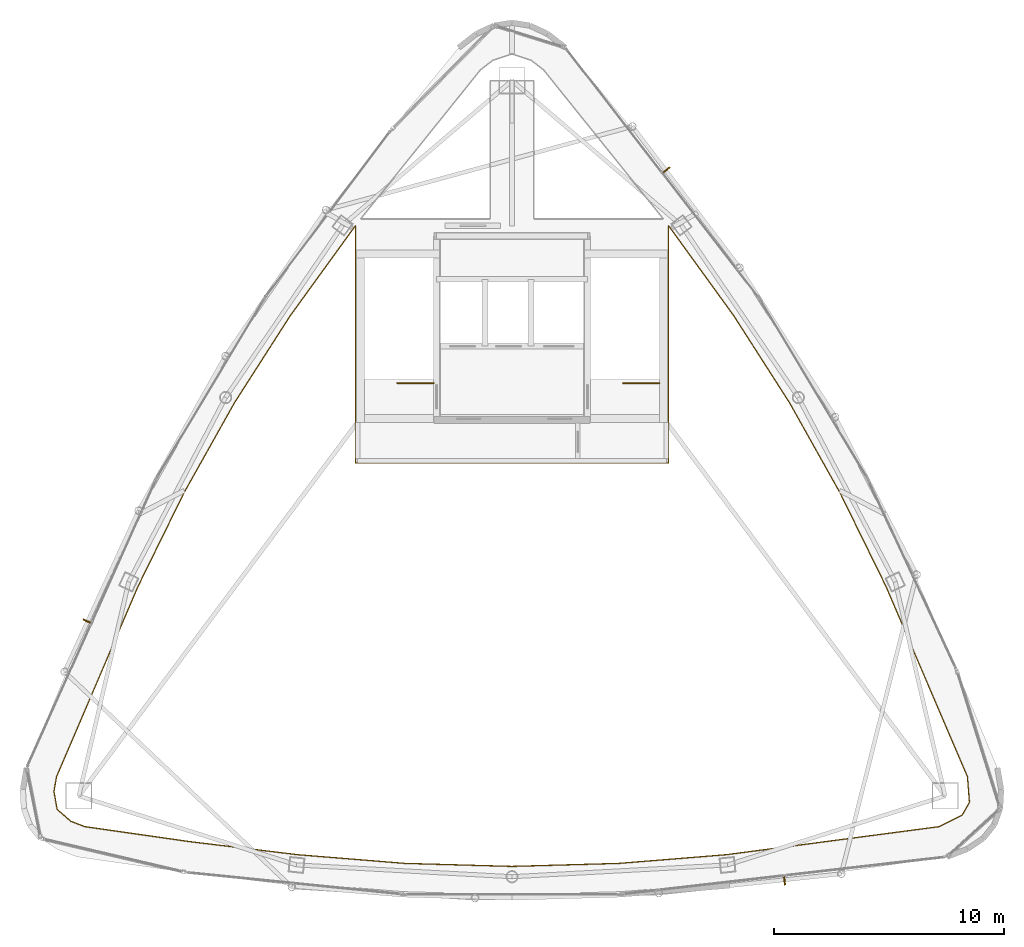
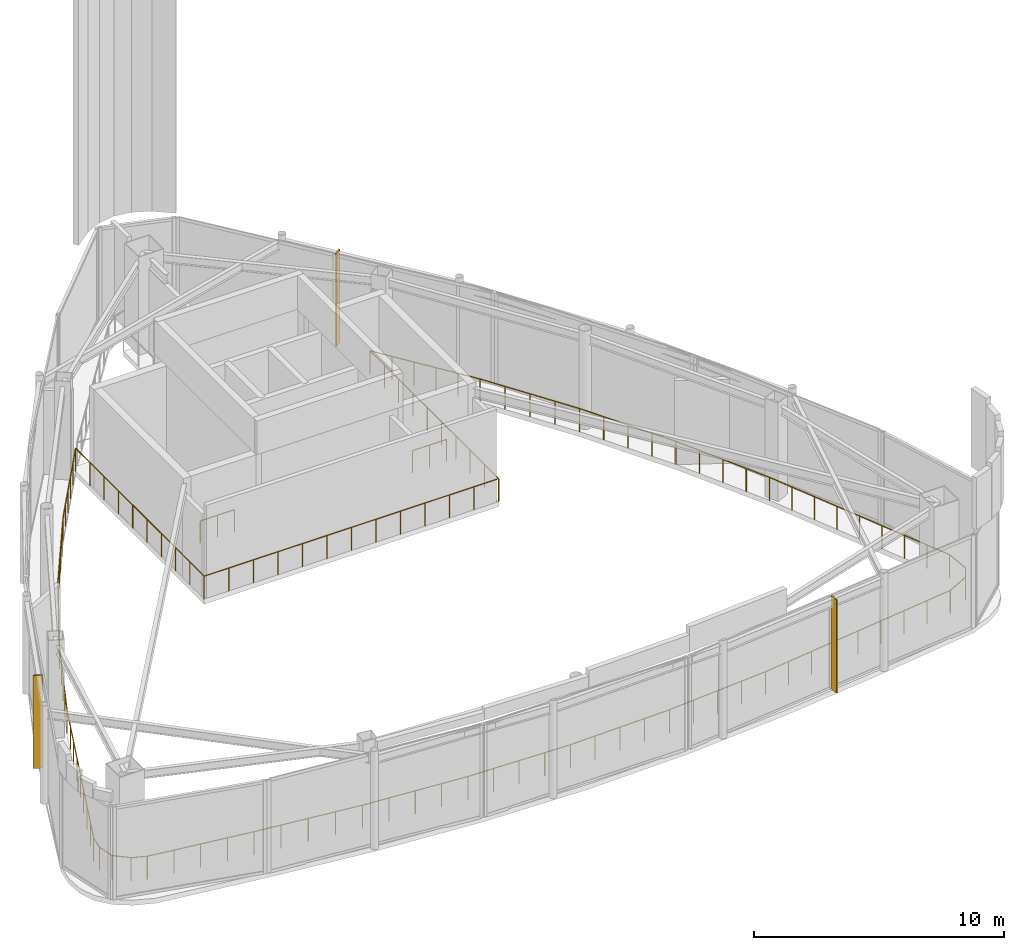
# One storey, part 17 of 18: 3 railings, 3 shading devices.
"""IFC4 building model written with IfcOpenShell, lengths in metres."""

from ifc_helpers import new_model, si_unit, direction, frame, origin, origin_2d, place, context, subcontext, project, spatial, rectangle, circle, extrude, material, layer, layer_set, type_object, element, save


model = new_model("IFC4")

# Units and contexts
model_context = context("Model", 3, precision=1e-05, world=origin(), true_north=direction((0.0, 1.0)))
body_context = subcontext(model_context, "Body", "Model", "MODEL_VIEW")
ifc_project = project(units=[si_unit("LENGTHUNIT", "METRE"), si_unit("AREAUNIT", "SQUARE_METRE"), si_unit("VOLUMEUNIT", "CUBIC_METRE"), si_unit("PLANEANGLEUNIT", "RADIAN"), si_unit("MASSUNIT", "GRAM", prefix="KILO")], contexts=[model_context])

# Site, building, storey
site_placement = place(None, origin())
site = spatial("IfcSite", under=ifc_project, at=site_placement, CompositionType="ELEMENT")
building_placement = place(site_placement, origin())
building = spatial("IfcBuilding", under=site, at=building_placement, Name="Orvanel Arch Residences", CompositionType="ELEMENT")
storey_placement = place(building_placement, frame((0.0, 0.0, 310.10009765625)))
storey = spatial("IfcBuildingStorey", under=building, at=storey_placement, Name="L86", CompositionType="ELEMENT", Elevation=310.10009765625)

# Shading devices
ifc_material_1 = material(Name="Bronze-anodised aluminium AA6063-T6", Category="aluminium")
ifc_layer = layer(ifc_material_1, 0.06005859375)
ifc_layer_set = layer_set([ifc_layer], Name="Bronze-anodised aluminium AA6063-T6")
shading_device_type = type_object("IfcShadingDeviceType", Name="FIN-BRZ-380", PredefinedType="USERDEFINED", material=ifc_layer_set)
for number, where, z_axis, x_axis, name in (
    (1, (14.550048828125, 17.93603515625, 0.0), (0.0, 0.0, 1.0), (-0.912120116172, 0.409923033842, 0.0), "L86 Anodised Bronze Mullion FIN 01"),
    (2, (44.826904296875, 6.674072265625, 0.0), (0.0, 0.0, 1.0), (0.114937150493, -0.9933727656, 0.0), "L86 Anodised Bronze Mullion FIN 01"),
    (3, (39.702880859375, 37.51904296875, 0.0), (0.0, 0.0, 1.0), (0.790155012376, 0.612907053653, 0.0), "L86 Anodised Bronze Mullion FIN 01"),
):
    element("IfcShadingDevice", number, at=place(storey_placement, frame(where, z_axis=z_axis, x_axis=x_axis)), inside=storey, type_object=shading_device_type, Name=name, ObjectType="FIN", PredefinedType="USERDEFINED", context=body_context, shape_type="SweptSolid", body=[
        extrude(rectangle(XDim=0.3798828125, YDim=0.06005859375, at=origin_2d()), origin(), (0.0, 0.0, 1.0), 4.5400390625),
    ])

# Railings
railing_type_1 = type_object("IfcRailingType", Name="RL-ATR-1150", PredefinedType="BALUSTRADE", material=ifc_material_1)
railing_1_placement = place(storey_placement, frame((42.626953125, 31.18310546875, 0.0)))
element("IfcRailing", 4, at=railing_1_placement, inside=storey, type_object=railing_type_1, Name="L86 Crown Conservatory Void 2 Balustrade", PredefinedType="BALUSTRADE", context=body_context, shape_type="SweptSolid", body=[
    extrude(circle(Radius=0.02392578125, at=origin_2d()), frame((0.000732421875, -0.001220703125, 1.1259765625), z_axis=(0.539449316925, -0.842018072531, 0.0), x_axis=(0.842018072531, 0.539449316925, 0.0)), (0.0, 0.0, 1.0), 4.479248046875),
    extrude(circle(Radius=0.02392578125, at=origin_2d()), frame((2.418701171875, -3.775390625, 1.1259765625), z_axis=(0.488877026727, -0.872352711201, 0.0), x_axis=(0.872352711201, 0.488877026727, 0.0)), (0.0, 0.0, 1.0), 4.47900390625),
    extrude(circle(Radius=0.02392578125, at=origin_2d()), frame((4.60986328125, -7.685546875, 1.1259765625), z_axis=(0.440900053408, -0.897556205986, 0.0), x_axis=(0.897556205986, 0.440900053408, 0.0)), (0.0, 0.0, 1.0), 4.506103515625),
    extrude(circle(Radius=0.02392578125, at=origin_2d()), frame((6.59765625, -11.732666015625, 1.1259765625), z_axis=(0.393624390708, -0.919271363113, 0.0), x_axis=(0.919271363113, 0.393624390708, 0.0)), (0.0, 0.0, 1.0), 8.98974609375),
    extrude(circle(Radius=0.02392578125, at=origin_2d()), frame((10.136962890625, -19.99951171875, 1.1259765625), z_axis=(0.078340921398, -0.996926627207, 0.0), x_axis=(0.996926627207, 0.078340921398, 0.0)), (0.0, 0.0, 1.0), 1.109619140625),
    extrude(circle(Radius=0.02392578125, at=origin_2d()), frame((10.223388671875, -21.1083984375, 1.1259765625), z_axis=(-0.492907253875, -0.870081857688, 0.0), x_axis=(0.870081857688, -0.492907253875, 0.0)), (0.0, 0.0, 1.0), 0.640380859375),
    extrude(circle(Radius=0.02392578125, at=origin_2d()), frame((9.90576171875, -21.667724609375, 1.1259765625), z_axis=(-0.89473528006, -0.446596886035, 0.0), x_axis=(0.446596886035, -0.89473528006, 0.0)), (0.0, 0.0, 1.0), 1.105712890625),
    extrude(circle(Radius=0.02392578125, at=origin_2d()), frame((8.91357421875, -22.162353515625, 1.1259765625), z_axis=(-0.99141795724, -0.130730386908, 0.0), x_axis=(0.130730386908, -0.99141795724, 0.0)), (0.0, 0.0, 1.0), 9.31396484375),
    extrude(circle(Radius=0.02392578125, at=origin_2d()), frame((-0.323486328125, -23.380126953125, 1.1259765625), z_axis=(-0.996741433639, -0.08066296837, 0.0), x_axis=(0.08066296837, -0.996741433639, 0.0)), (0.0, 0.0, 1.0), 4.670166015625),
    extrude(circle(Radius=0.02392578125, at=origin_2d()), frame((-4.9814453125, -23.757080078125, 1.1259765625), z_axis=(-0.999602259989, -0.028201450752, 0.0), x_axis=(0.028201450752, -0.999602259989, 0.0)), (0.0, 0.0, 1.0), 4.645751953125),
    extrude(circle(Radius=0.02392578125, at=origin_2d()), frame((-9.62841796875, -23.88818359375, 1.1259765625), z_axis=(-0.999602259989, 0.028201450752, 0.0), x_axis=(-0.028201450752, -0.999602259989, 0.0)), (0.0, 0.0, 1.0), 4.645751953125),
    extrude(circle(Radius=0.02392578125, at=origin_2d()), frame((-14.275390625, -23.757080078125, 1.1259765625), z_axis=(-0.996741433639, 0.08066296837, 0.0), x_axis=(-0.08066296837, -0.996741433639, 0.0)), (0.0, 0.0, 1.0), 4.670166015625),
    extrude(circle(Radius=0.02392578125, at=origin_2d()), frame((-18.933349609375, -23.3798828125, 1.1259765625), z_axis=(-0.992737718176, 0.120298889897, 0.0), x_axis=(-0.120298889897, -0.992737718176, 0.0)), (0.0, 0.0, 1.0), 4.71142578125),
    extrude(circle(Radius=0.02392578125, at=origin_2d()), frame((-23.613525390625, -22.812744140625, 1.1259765625), z_axis=(-0.989952675685, 0.141399080277, 0.0), x_axis=(-0.141399080277, -0.989952675685, 0.0)), (0.0, 0.0, 1.0), 4.60009765625),
    extrude(circle(Radius=0.02392578125, at=origin_2d()), frame((-28.17041015625, -22.16162109375, 1.1259765625), z_axis=(-0.933423126079, 0.358777462643, 0.0), x_axis=(-0.358777462643, -0.933423126079, 0.0)), (0.0, 0.0, 1.0), 0.646240234375),
    extrude(circle(Radius=0.02392578125, at=origin_2d()), frame((-28.776123046875, -21.92822265625, 1.1259765625), z_axis=(-0.753867638629, 0.657026318673, 0.0), x_axis=(-0.657026318673, -0.753867638629, 0.0)), (0.0, 0.0, 1.0), 0.781005859375),
    extrude(circle(Radius=0.02392578125, at=origin_2d()), frame((-29.3662109375, -21.41259765625, 1.1259765625), z_axis=(-0.175683017964, 0.984446787388, 0.0), x_axis=(-0.984446787388, -0.175683017964, 0.0)), (0.0, 0.0, 1.0), 0.7822265625),
    extrude(circle(Radius=0.02392578125, at=origin_2d()), frame((-29.503662109375, -20.6396484375, 1.1259765625), z_axis=(0.173124037048, 0.984900029341, 0.0), x_axis=(-0.984900029341, 0.173124037048, 0.0)), (0.0, 0.0, 1.0), 0.64990234375),
    extrude(circle(Radius=0.02392578125, at=origin_2d()), frame((-29.390380859375, -19.99658203125, 1.1259765625), z_axis=(0.393624390708, 0.919271363113, 0.0), x_axis=(-0.919271363113, 0.393624390708, 0.0)), (0.0, 0.0, 1.0), 8.98974609375),
    extrude(circle(Radius=0.02392578125, at=origin_2d()), frame((-25.850341796875, -11.729736328125, 1.1259765625), z_axis=(0.440900053408, 0.897556205986, 0.0), x_axis=(-0.897556205986, 0.440900053408, 0.0)), (0.0, 0.0, 1.0), 4.506103515625),
    extrude(circle(Radius=0.02392578125, at=origin_2d()), frame((-23.8623046875, -7.682861328125, 1.1259765625), z_axis=(0.488877026727, 0.872352711201, 0.0), x_axis=(-0.872352711201, 0.488877026727, 0.0)), (0.0, 0.0, 1.0), 4.47900390625),
    extrude(circle(Radius=0.02392578125, at=origin_2d()), frame((-21.671142578125, -3.77294921875, 1.1259765625), z_axis=(0.539449316925, 0.842018072531, 0.0), x_axis=(-0.842018072531, 0.539449316925, 0.0)), (0.0, 0.0, 1.0), 4.479248046875),
    extrude(circle(Radius=0.02392578125, at=origin_2d()), frame((-19.2529296875, 0.001220703125, 1.1259765625), z_axis=(0.58641472095, 0.810010972181, 0.0), x_axis=(-0.810010972181, 0.58641472095, 0.0)), (0.0, 0.0, 1.0), 4.817626953125),
    extrude(circle(Radius=0.02392578125, at=origin_2d()), frame((-16.427001953125, 3.9033203125, 1.1259765625), z_axis=(0.0, -1.0, 0.0), x_axis=(1.0, 0.0, 0.0)), (0.0, 0.0, 1.0), 10.284912109375),
    extrude(circle(Radius=0.02392578125, at=origin_2d()), frame((-16.425537109375, -6.383056640625, 1.1259765625), z_axis=(1.0, 0.0, 0.0), x_axis=(0.0, 1.0, 0.0)), (0.0, 0.0, 1.0), 13.59716796875),
    extrude(circle(Radius=0.02392578125, at=origin_2d()), frame((-2.826904296875, -6.381591796875, 1.1259765625), z_axis=(0.0, 1.0, 0.0), x_axis=(-1.0, 0.0, 0.0)), (0.0, 0.0, 1.0), 10.284912109375),
    extrude(circle(Radius=0.02392578125, at=origin_2d()), frame((-2.825927734375, 3.903564453125, 1.1259765625), z_axis=(0.58641472095, -0.810010972181, 0.0), x_axis=(0.810010972181, 0.58641472095, 0.0)), (0.0, 0.0, 1.0), 4.817626953125),
    extrude(circle(Radius=0.02099609375, at=origin_2d()), origin(), (0.0, 0.0, 1.0), 1.099853515625),
    extrude(circle(Radius=0.02099609375, at=origin_2d()), frame((0.6044921875, -0.943603515625, 0.0)), (0.0, 0.0, 1.0), 1.099853515625),
    extrude(circle(Radius=0.02099609375, at=origin_2d()), frame((1.208984375, -1.88720703125, 0.0)), (0.0, 0.0, 1.0), 1.099853515625),
    extrude(circle(Radius=0.02099609375, at=origin_2d()), frame((1.8134765625, -2.83056640625, 0.0)), (0.0, 0.0, 1.0), 1.099853515625),
    extrude(circle(Radius=0.02099609375, at=origin_2d()), frame((2.41796875, -3.774169921875, 0.0)), (0.0, 0.0, 1.0), 1.099853515625),
    extrude(circle(Radius=0.02099609375, at=origin_2d()), frame((2.9658203125, -4.751708984375, 0.0)), (0.0, 0.0, 1.0), 1.099853515625),
    extrude(circle(Radius=0.02099609375, at=origin_2d()), frame((3.513671875, -5.72900390625, 0.0)), (0.0, 0.0, 1.0), 1.099853515625),
    extrude(circle(Radius=0.02099609375, at=origin_2d()), frame((4.061279296875, -6.70654296875, 0.0)), (0.0, 0.0, 1.0), 1.099853515625),
    extrude(circle(Radius=0.02099609375, at=origin_2d()), frame((4.609130859375, -7.68408203125, 0.0)), (0.0, 0.0, 1.0), 1.099853515625),
    extrude(circle(Radius=0.02099609375, at=origin_2d()), frame((5.106201171875, -8.69580078125, 0.0)), (0.0, 0.0, 1.0), 1.099853515625),
    extrude(circle(Radius=0.02099609375, at=origin_2d()), frame((5.60302734375, -9.70751953125, 0.0)), (0.0, 0.0, 1.0), 1.099853515625),
    extrude(circle(Radius=0.02099609375, at=origin_2d()), frame((6.10009765625, -10.719482421875, 0.0)), (0.0, 0.0, 1.0), 1.099853515625),
    extrude(circle(Radius=0.02099609375, at=origin_2d()), frame((6.59716796875, -11.731201171875, 0.0)), (0.0, 0.0, 1.0), 1.099853515625),
    extrude(circle(Radius=0.02099609375, at=origin_2d()), frame((7.03955078125, -12.7646484375, 0.0)), (0.0, 0.0, 1.0), 1.099853515625),
    extrude(circle(Radius=0.02099609375, at=origin_2d()), frame((7.482177734375, -13.7978515625, 0.0)), (0.0, 0.0, 1.0), 1.099853515625),
    extrude(circle(Radius=0.02099609375, at=origin_2d()), frame((7.924560546875, -14.831298828125, 0.0)), (0.0, 0.0, 1.0), 1.099853515625),
    extrude(circle(Radius=0.02099609375, at=origin_2d()), frame((8.3671875, -15.86474609375, 0.0)), (0.0, 0.0, 1.0), 1.099853515625),
    extrude(circle(Radius=0.02099609375, at=origin_2d()), frame((8.8095703125, -16.89794921875, 0.0)), (0.0, 0.0, 1.0), 1.099853515625),
    extrude(circle(Radius=0.02099609375, at=origin_2d()), frame((9.251953125, -17.931396484375, 0.0)), (0.0, 0.0, 1.0), 1.099853515625),
    extrude(circle(Radius=0.02099609375, at=origin_2d()), frame((9.694580078125, -18.964599609375, 0.0)), (0.0, 0.0, 1.0), 1.099853515625),
    extrude(circle(Radius=0.02099609375, at=origin_2d()), frame((10.136962890625, -19.998046875, 0.0)), (0.0, 0.0, 1.0), 1.099853515625),
    extrude(circle(Radius=0.02099609375, at=origin_2d()), frame((10.22412109375, -21.107177734375, 0.0)), (0.0, 0.0, 1.0), 1.099853515625),
    extrude(circle(Radius=0.02099609375, at=origin_2d()), frame((9.906982421875, -21.6669921875, 0.0)), (0.0, 0.0, 1.0), 1.099853515625),
    extrude(circle(Radius=0.02099609375, at=origin_2d()), frame((8.9150390625, -22.162109375, 0.0)), (0.0, 0.0, 1.0), 1.099853515625),
    extrude(circle(Radius=0.02099609375, at=origin_2d()), frame((7.760498046875, -22.314453125, 0.0)), (0.0, 0.0, 1.0), 1.099853515625),
    extrude(circle(Radius=0.02099609375, at=origin_2d()), frame((6.605712890625, -22.466552734375, 0.0)), (0.0, 0.0, 1.0), 1.099853515625),
    extrude(circle(Radius=0.02099609375, at=origin_2d()), frame((5.451171875, -22.618896484375, 0.0)), (0.0, 0.0, 1.0), 1.099853515625),
    extrude(circle(Radius=0.02099609375, at=origin_2d()), frame((4.29638671875, -22.77099609375, 0.0)), (0.0, 0.0, 1.0), 1.099853515625),
    extrude(circle(Radius=0.02099609375, at=origin_2d()), frame((3.141845703125, -22.92333984375, 0.0)), (0.0, 0.0, 1.0), 1.099853515625),
    extrude(circle(Radius=0.02099609375, at=origin_2d()), frame((1.9873046875, -23.07568359375, 0.0)), (0.0, 0.0, 1.0), 1.099853515625),
    extrude(circle(Radius=0.02099609375, at=origin_2d()), frame((0.83251953125, -23.227783203125, 0.0)), (0.0, 0.0, 1.0), 1.099853515625),
    extrude(circle(Radius=0.02099609375, at=origin_2d()), frame((-0.322021484375, -23.380126953125, 0.0)), (0.0, 0.0, 1.0), 1.099853515625),
    extrude(circle(Radius=0.02099609375, at=origin_2d()), frame((-1.486572265625, -23.474365234375, 0.0)), (0.0, 0.0, 1.0), 1.099853515625),
    extrude(circle(Radius=0.02099609375, at=origin_2d()), frame((-2.65087890625, -23.568603515625, 0.0)), (0.0, 0.0, 1.0), 1.099853515625),
    extrude(circle(Radius=0.02099609375, at=origin_2d()), frame((-3.8154296875, -23.662841796875, 0.0)), (0.0, 0.0, 1.0), 1.099853515625),
    extrude(circle(Radius=0.02099609375, at=origin_2d()), frame((-4.97998046875, -23.757080078125, 0.0)), (0.0, 0.0, 1.0), 1.099853515625),
    extrude(circle(Radius=0.02099609375, at=origin_2d()), frame((-6.1416015625, -23.789794921875, 0.0)), (0.0, 0.0, 1.0), 1.099853515625),
    extrude(circle(Radius=0.02099609375, at=origin_2d()), frame((-7.303466796875, -23.82275390625, 0.0)), (0.0, 0.0, 1.0), 1.099853515625),
    extrude(circle(Radius=0.02099609375, at=origin_2d()), frame((-8.46533203125, -23.85546875, 0.0)), (0.0, 0.0, 1.0), 1.099853515625),
    extrude(circle(Radius=0.02099609375, at=origin_2d()), frame((-9.626953125, -23.88818359375, 0.0)), (0.0, 0.0, 1.0), 1.099853515625),
    extrude(circle(Radius=0.02099609375, at=origin_2d()), frame((-10.78857421875, -23.85546875, 0.0)), (0.0, 0.0, 1.0), 1.099853515625),
    extrude(circle(Radius=0.02099609375, at=origin_2d()), frame((-11.950439453125, -23.82275390625, 0.0)), (0.0, 0.0, 1.0), 1.099853515625),
    extrude(circle(Radius=0.02099609375, at=origin_2d()), frame((-13.1123046875, -23.789794921875, 0.0)), (0.0, 0.0, 1.0), 1.099853515625),
    extrude(circle(Radius=0.02099609375, at=origin_2d()), frame((-14.27392578125, -23.757080078125, 0.0)), (0.0, 0.0, 1.0), 1.099853515625),
    extrude(circle(Radius=0.02099609375, at=origin_2d()), frame((-15.4384765625, -23.662841796875, 0.0)), (0.0, 0.0, 1.0), 1.099853515625),
    extrude(circle(Radius=0.02099609375, at=origin_2d()), frame((-16.60302734375, -23.568603515625, 0.0)), (0.0, 0.0, 1.0), 1.099853515625),
    extrude(circle(Radius=0.02099609375, at=origin_2d()), frame((-17.767333984375, -23.474365234375, 0.0)), (0.0, 0.0, 1.0), 1.099853515625),
    extrude(circle(Radius=0.02099609375, at=origin_2d()), frame((-18.931884765625, -23.380126953125, 0.0)), (0.0, 0.0, 1.0), 1.099853515625),
    extrude(circle(Radius=0.02099609375, at=origin_2d()), frame((-20.10205078125, -23.23828125, 0.0)), (0.0, 0.0, 1.0), 1.099853515625),
    extrude(circle(Radius=0.02099609375, at=origin_2d()), frame((-21.27197265625, -23.0966796875, 0.0)), (0.0, 0.0, 1.0), 1.099853515625),
    extrude(circle(Radius=0.02099609375, at=origin_2d()), frame((-22.44189453125, -22.954833984375, 0.0)), (0.0, 0.0, 1.0), 1.099853515625),
    extrude(circle(Radius=0.02099609375, at=origin_2d()), frame((-23.612060546875, -22.81298828125, 0.0)), (0.0, 0.0, 1.0), 1.099853515625),
    extrude(circle(Radius=0.02099609375, at=origin_2d()), frame((-24.751220703125, -22.650390625, 0.0)), (0.0, 0.0, 1.0), 1.099853515625),
    extrude(circle(Radius=0.02099609375, at=origin_2d()), frame((-25.890625, -22.487548828125, 0.0)), (0.0, 0.0, 1.0), 1.099853515625),
    extrude(circle(Radius=0.02099609375, at=origin_2d()), frame((-27.02978515625, -22.32470703125, 0.0)), (0.0, 0.0, 1.0), 1.099853515625),
    extrude(circle(Radius=0.02099609375, at=origin_2d()), frame((-28.1689453125, -22.162109375, 0.0)), (0.0, 0.0, 1.0), 1.099853515625),
    extrude(circle(Radius=0.02099609375, at=origin_2d()), frame((-28.77490234375, -21.92919921875, 0.0)), (0.0, 0.0, 1.0), 1.099853515625),
    extrude(circle(Radius=0.02099609375, at=origin_2d()), frame((-29.365966796875, -21.4140625, 0.0)), (0.0, 0.0, 1.0), 1.099853515625),
    extrude(circle(Radius=0.02099609375, at=origin_2d()), frame((-29.50390625, -20.64111328125, 0.0)), (0.0, 0.0, 1.0), 1.099853515625),
    extrude(circle(Radius=0.02099609375, at=origin_2d()), frame((-29.390869140625, -19.998046875, 0.0)), (0.0, 0.0, 1.0), 1.099853515625),
    extrude(circle(Radius=0.02099609375, at=origin_2d()), frame((-28.948486328125, -18.964599609375, 0.0)), (0.0, 0.0, 1.0), 1.099853515625),
    extrude(circle(Radius=0.02099609375, at=origin_2d()), frame((-28.505859375, -17.931396484375, 0.0)), (0.0, 0.0, 1.0), 1.099853515625),
    extrude(circle(Radius=0.02099609375, at=origin_2d()), frame((-28.0634765625, -16.89794921875, 0.0)), (0.0, 0.0, 1.0), 1.099853515625),
    extrude(circle(Radius=0.02099609375, at=origin_2d()), frame((-27.62109375, -15.86474609375, 0.0)), (0.0, 0.0, 1.0), 1.099853515625),
    extrude(circle(Radius=0.02099609375, at=origin_2d()), frame((-27.178466796875, -14.831298828125, 0.0)), (0.0, 0.0, 1.0), 1.099853515625),
    extrude(circle(Radius=0.02099609375, at=origin_2d()), frame((-26.736083984375, -13.7978515625, 0.0)), (0.0, 0.0, 1.0), 1.099853515625),
    extrude(circle(Radius=0.02099609375, at=origin_2d()), frame((-26.29345703125, -12.7646484375, 0.0)), (0.0, 0.0, 1.0), 1.099853515625),
    extrude(circle(Radius=0.02099609375, at=origin_2d()), frame((-25.85107421875, -11.731201171875, 0.0)), (0.0, 0.0, 1.0), 1.099853515625),
    extrude(circle(Radius=0.02099609375, at=origin_2d()), frame((-25.35400390625, -10.719482421875, 0.0)), (0.0, 0.0, 1.0), 1.099853515625),
    extrude(circle(Radius=0.02099609375, at=origin_2d()), frame((-24.85693359375, -9.70751953125, 0.0)), (0.0, 0.0, 1.0), 1.099853515625),
    extrude(circle(Radius=0.02099609375, at=origin_2d()), frame((-24.360107421875, -8.69580078125, 0.0)), (0.0, 0.0, 1.0), 1.099853515625),
    extrude(circle(Radius=0.02099609375, at=origin_2d()), frame((-23.863037109375, -7.68408203125, 0.0)), (0.0, 0.0, 1.0), 1.099853515625),
    extrude(circle(Radius=0.02099609375, at=origin_2d()), frame((-23.315185546875, -6.70654296875, 0.0)), (0.0, 0.0, 1.0), 1.099853515625),
    extrude(circle(Radius=0.02099609375, at=origin_2d()), frame((-22.767578125, -5.72900390625, 0.0)), (0.0, 0.0, 1.0), 1.099853515625),
    extrude(circle(Radius=0.02099609375, at=origin_2d()), frame((-22.2197265625, -4.751708984375, 0.0)), (0.0, 0.0, 1.0), 1.099853515625),
    extrude(circle(Radius=0.02099609375, at=origin_2d()), frame((-21.671875, -3.774169921875, 0.0)), (0.0, 0.0, 1.0), 1.099853515625),
    extrude(circle(Radius=0.02099609375, at=origin_2d()), frame((-21.0673828125, -2.83056640625, 0.0)), (0.0, 0.0, 1.0), 1.099853515625),
    extrude(circle(Radius=0.02099609375, at=origin_2d()), frame((-20.462890625, -1.88720703125, 0.0)), (0.0, 0.0, 1.0), 1.099853515625),
    extrude(circle(Radius=0.02099609375, at=origin_2d()), frame((-19.8583984375, -0.943603515625, 0.0)), (0.0, 0.0, 1.0), 1.099853515625),
    extrude(circle(Radius=0.02099609375, at=origin_2d()), frame((-19.25390625, 0.0, 0.0)), (0.0, 0.0, 1.0), 1.099853515625),
    extrude(circle(Radius=0.02099609375, at=origin_2d()), frame((-18.6884765625, 0.781005859375, 0.0)), (0.0, 0.0, 1.0), 1.099853515625),
    extrude(circle(Radius=0.02099609375, at=origin_2d()), frame((-18.123046875, 1.56201171875, 0.0)), (0.0, 0.0, 1.0), 1.099853515625),
    extrude(circle(Radius=0.02099609375, at=origin_2d()), frame((-17.557861328125, 2.3427734375, 0.0)), (0.0, 0.0, 1.0), 1.099853515625),
    extrude(circle(Radius=0.02099609375, at=origin_2d()), frame((-16.992431640625, 3.123779296875, 0.0)), (0.0, 0.0, 1.0), 1.099853515625),
    extrude(circle(Radius=0.02099609375, at=origin_2d()), frame((-16.427001953125, 3.90478515625, 0.0)), (0.0, 0.0, 1.0), 1.099853515625),
    extrude(circle(Radius=0.02099609375, at=origin_2d()), frame((-16.427001953125, 2.76171875, 0.0)), (0.0, 0.0, 1.0), 1.099853515625),
    extrude(circle(Radius=0.02099609375, at=origin_2d()), frame((-16.427001953125, 1.61865234375, 0.0)), (0.0, 0.0, 1.0), 1.099853515625),
    extrude(circle(Radius=0.02099609375, at=origin_2d()), frame((-16.427001953125, 0.4755859375, 0.0)), (0.0, 0.0, 1.0), 1.099853515625),
    extrude(circle(Radius=0.02099609375, at=origin_2d()), frame((-16.427001953125, -0.66748046875, 0.0)), (0.0, 0.0, 1.0), 1.099853515625),
    extrude(circle(Radius=0.02099609375, at=origin_2d()), frame((-16.427001953125, -1.810791015625, 0.0)), (0.0, 0.0, 1.0), 1.099853515625),
    extrude(circle(Radius=0.02099609375, at=origin_2d()), frame((-16.427001953125, -2.953857421875, 0.0)), (0.0, 0.0, 1.0), 1.099853515625),
    extrude(circle(Radius=0.02099609375, at=origin_2d()), frame((-16.427001953125, -4.096923828125, 0.0)), (0.0, 0.0, 1.0), 1.099853515625),
    extrude(circle(Radius=0.02099609375, at=origin_2d()), frame((-16.427001953125, -5.239990234375, 0.0)), (0.0, 0.0, 1.0), 1.099853515625),
    extrude(circle(Radius=0.02099609375, at=origin_2d()), frame((-16.427001953125, -6.383056640625, 0.0)), (0.0, 0.0, 1.0), 1.099853515625),
    extrude(circle(Radius=0.02099609375, at=origin_2d()), frame((-15.293701171875, -6.383056640625, 0.0)), (0.0, 0.0, 1.0), 1.099853515625),
    extrude(circle(Radius=0.02099609375, at=origin_2d()), frame((-14.160400390625, -6.383056640625, 0.0)), (0.0, 0.0, 1.0), 1.099853515625),
    extrude(circle(Radius=0.02099609375, at=origin_2d()), frame((-13.02685546875, -6.383056640625, 0.0)), (0.0, 0.0, 1.0), 1.099853515625),
    extrude(circle(Radius=0.02099609375, at=origin_2d()), frame((-11.8935546875, -6.383056640625, 0.0)), (0.0, 0.0, 1.0), 1.099853515625),
    extrude(circle(Radius=0.02099609375, at=origin_2d()), frame((-10.76025390625, -6.383056640625, 0.0)), (0.0, 0.0, 1.0), 1.099853515625),
    extrude(circle(Radius=0.02099609375, at=origin_2d()), frame((-9.626953125, -6.383056640625, 0.0)), (0.0, 0.0, 1.0), 1.099853515625),
    extrude(circle(Radius=0.02099609375, at=origin_2d()), frame((-8.49365234375, -6.383056640625, 0.0)), (0.0, 0.0, 1.0), 1.099853515625),
    extrude(circle(Radius=0.02099609375, at=origin_2d()), frame((-7.3603515625, -6.383056640625, 0.0)), (0.0, 0.0, 1.0), 1.099853515625),
    extrude(circle(Radius=0.02099609375, at=origin_2d()), frame((-6.22705078125, -6.383056640625, 0.0)), (0.0, 0.0, 1.0), 1.099853515625),
    extrude(circle(Radius=0.02099609375, at=origin_2d()), frame((-5.093505859375, -6.383056640625, 0.0)), (0.0, 0.0, 1.0), 1.099853515625),
    extrude(circle(Radius=0.02099609375, at=origin_2d()), frame((-3.960205078125, -6.383056640625, 0.0)), (0.0, 0.0, 1.0), 1.099853515625),
    extrude(circle(Radius=0.02099609375, at=origin_2d()), frame((-2.826904296875, -6.383056640625, 0.0)), (0.0, 0.0, 1.0), 1.099853515625),
    extrude(circle(Radius=0.02099609375, at=origin_2d()), frame((-2.826904296875, -5.239990234375, 0.0)), (0.0, 0.0, 1.0), 1.099853515625),
    extrude(circle(Radius=0.02099609375, at=origin_2d()), frame((-2.826904296875, -4.096923828125, 0.0)), (0.0, 0.0, 1.0), 1.099853515625),
    extrude(circle(Radius=0.02099609375, at=origin_2d()), frame((-2.826904296875, -2.953857421875, 0.0)), (0.0, 0.0, 1.0), 1.099853515625),
    extrude(circle(Radius=0.02099609375, at=origin_2d()), frame((-2.826904296875, -1.810791015625, 0.0)), (0.0, 0.0, 1.0), 1.099853515625),
    extrude(circle(Radius=0.02099609375, at=origin_2d()), frame((-2.826904296875, -0.66748046875, 0.0)), (0.0, 0.0, 1.0), 1.099853515625),
    extrude(circle(Radius=0.02099609375, at=origin_2d()), frame((-2.826904296875, 0.4755859375, 0.0)), (0.0, 0.0, 1.0), 1.099853515625),
    extrude(circle(Radius=0.02099609375, at=origin_2d()), frame((-2.826904296875, 1.61865234375, 0.0)), (0.0, 0.0, 1.0), 1.099853515625),
    extrude(circle(Radius=0.02099609375, at=origin_2d()), frame((-2.826904296875, 2.76171875, 0.0)), (0.0, 0.0, 1.0), 1.099853515625),
    extrude(circle(Radius=0.02099609375, at=origin_2d()), frame((-2.826904296875, 3.90478515625, 0.0)), (0.0, 0.0, 1.0), 1.099853515625),
    extrude(circle(Radius=0.02099609375, at=origin_2d()), frame((-2.261474609375, 3.123779296875, 0.0)), (0.0, 0.0, 1.0), 1.099853515625),
    extrude(circle(Radius=0.02099609375, at=origin_2d()), frame((-1.696044921875, 2.3427734375, 0.0)), (0.0, 0.0, 1.0), 1.099853515625),
    extrude(circle(Radius=0.02099609375, at=origin_2d()), frame((-1.130859375, 1.56201171875, 0.0)), (0.0, 0.0, 1.0), 1.099853515625),
    extrude(circle(Radius=0.02099609375, at=origin_2d()), frame((-0.5654296875, 0.781005859375, 0.0)), (0.0, 0.0, 1.0), 1.099853515625),
])
ifc_material_2 = material(Name="Structural steel AS/NZS 1163 C350L0 (Grade 350)", Category="steel")
railing_type_2 = type_object("IfcRailingType", Name="RL-STAIR-GUARD", PredefinedType="GUARDRAIL", material=ifc_material_2)
railing_2_placement = place(storey_placement, frame((29.60009765625, 28.27001953125, 0.0)))
element("IfcRailing", 5, at=railing_2_placement, inside=storey, type_object=railing_type_2, Name="L86 ST-1 top well guard 1", PredefinedType="GUARDRAIL", context=body_context, shape_type="SweptSolid", body=[
    extrude(circle(Radius=0.02392578125, at=origin_2d()), frame((-0.00146484375, 0.0, 1.076171875), z_axis=(-1.0, 0.0, 0.0), x_axis=(0.0, -1.0, 0.0)), (0.0, 0.0, 1.0), 1.5771484375),
    extrude(circle(Radius=0.02099609375, at=origin_2d()), origin(), (0.0, 0.0, 1.0), 1.050048828125),
    extrude(circle(Radius=0.02099609375, at=origin_2d()), frame((-0.7900390625, 0.0, 0.0)), (0.0, 0.0, 1.0), 1.050048828125),
    extrude(circle(Radius=0.02099609375, at=origin_2d()), frame((-1.580078125, 0.0, 0.0)), (0.0, 0.0, 1.0), 1.050048828125),
])
railing_3_placement = place(storey_placement, frame((39.39990234375, 28.27001953125, 0.0)))
element("IfcRailing", 6, at=railing_3_placement, inside=storey, type_object=railing_type_2, Name="L86 ST-2 top well guard 1", PredefinedType="GUARDRAIL", context=body_context, shape_type="SweptSolid", body=[
    extrude(circle(Radius=0.02392578125, at=origin_2d()), frame((-0.00146484375, 0.0, 1.076171875), z_axis=(-1.0, 0.0, 0.0), x_axis=(0.0, -1.0, 0.0)), (0.0, 0.0, 1.0), 1.576904296875),
    extrude(circle(Radius=0.02099609375, at=origin_2d()), origin(), (0.0, 0.0, 1.0), 1.050048828125),
    extrude(circle(Radius=0.02099609375, at=origin_2d()), frame((-0.7900390625, 0.0, 0.0)), (0.0, 0.0, 1.0), 1.050048828125),
    extrude(circle(Radius=0.02099609375, at=origin_2d()), frame((-1.579833984375, 0.0, 0.0)), (0.0, 0.0, 1.0), 1.050048828125),
])

save(model, "model.ifc")
